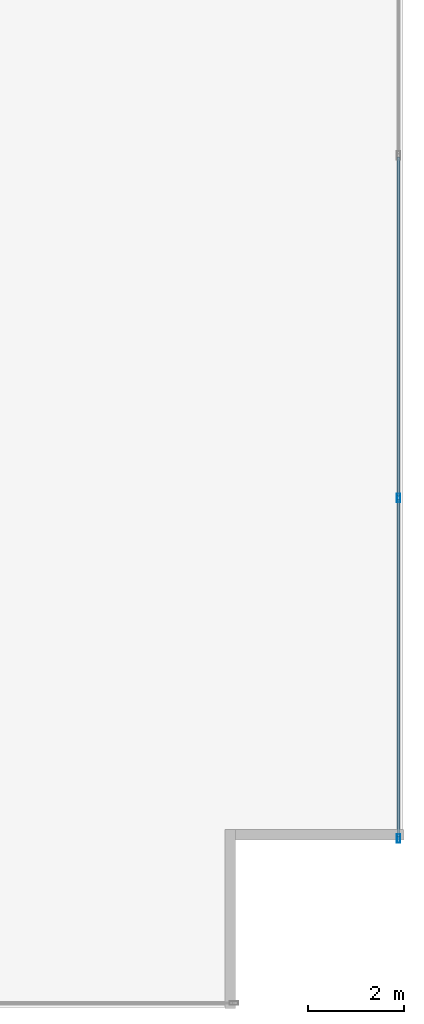
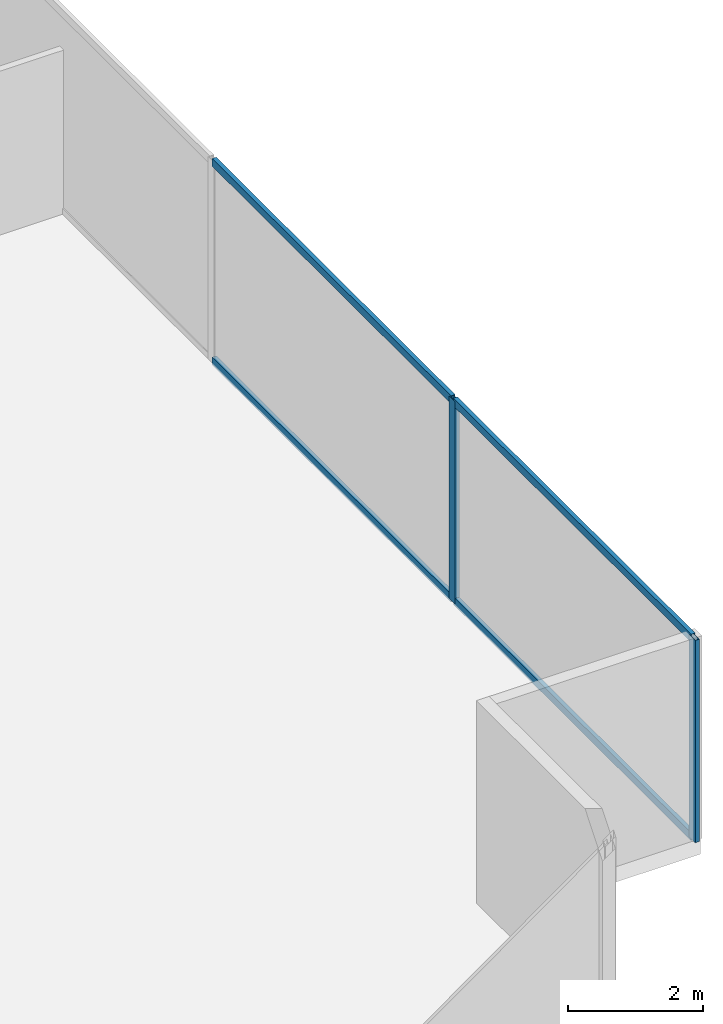
# One storey, part 12 of 28: 6 members, 1 element without a shape of its own.
"""IFC4 building model written with IfcOpenShell, lengths in metres."""

from ifc_helpers import new_model, si_unit, direction, frame, origin, origin_2d, place, context, subcontext, project, spatial, hollow_rectangle, extrude, source, transform, mapped, material, material_profile, profile_set, type_object, type_shapes, element, aggregate, save


model = new_model("IFC4")

# Units and contexts
model_context = context("Model", 3, precision=1e-05, world=origin(), true_north=direction((0.0, 1.0)))
body_context = subcontext(model_context, "Body", "Model", "MODEL_VIEW")
ifc_project = project(units=[si_unit("LENGTHUNIT", "METRE"), si_unit("AREAUNIT", "SQUARE_METRE"), si_unit("VOLUMEUNIT", "CUBIC_METRE"), si_unit("PLANEANGLEUNIT", "RADIAN"), si_unit("MASSUNIT", "GRAM", prefix="KILO")], contexts=[model_context])

# Site, building, storey
site_placement = place(None, origin())
site = spatial("IfcSite", under=ifc_project, at=site_placement, CompositionType="ELEMENT")
building_placement = place(site_placement, origin())
building = spatial("IfcBuilding", under=site, at=building_placement, Name="Krantzveldt Concourse Tower", CompositionType="ELEMENT")
storey_placement = place(building_placement, frame((0.0, 0.0, 28.949951171875)))
storey = spatial("IfcBuildingStorey", under=building, at=storey_placement, Name="L06", CompositionType="ELEMENT", Elevation=28.949951171875)

# Curtain wall, members
ifc_material = material(Name="Anodised aluminium 6063-T6", Category="aluminium")
curtain_wall_type = type_object("IfcCurtainWallType", Name="CW2", PredefinedType="USERDEFINED", material=ifc_material)
curtain_wall_placement = place(storey_placement, origin())
curtain_wall = element("IfcCurtainWall", 1, at=curtain_wall_placement, inside=storey, type_object=curtain_wall_type, Name="CW-L06-F07", ObjectType="UNITISED CURTAIN WALL", PredefinedType="USERDEFINED")
ifc_material_profile_1 = material_profile(ifc_material, hollow_rectangle(XDim=0.070068359375, YDim=0.139892578125, WallThickness=0.0048828125, at=origin_2d()), Name="Anodised aluminium 6063-T6", Category="aluminium")
ifc_profile_set_1 = profile_set([ifc_material_profile_1], Name="Anodised aluminium 6063-T6 - ALU-TRAN 140x70x5")
member_type_1 = type_object("IfcMemberType", Name="CW-TRN-150", PredefinedType="USERDEFINED", material=ifc_profile_set_1)
shared_shape_1 = source(origin(), body_context, "Body", "SweptSolid", [
    extrude(hollow_rectangle(XDim=0.070068359375, YDim=0.139892578125, WallThickness=0.0048828125, at=origin_2d()), origin(), (0.0, 0.0, 1.0), 7.0966796875),
])
member_1_placement = place(storey_placement, frame((60.909912109375, 12.401611328125, 0.03515625), z_axis=(0.0, 1.0, 0.0), x_axis=(-1.0, 0.0, 0.0)))
member_1 = element("IfcMember", 2, at=member_1_placement, type_object=member_type_1, Name="CW-Z12 transom 2.1", ObjectType="TRANSOM", PredefinedType="USERDEFINED", context=body_context, shape_type="MappedRepresentation", body=[
    mapped(shared_shape_1, transform((0.0, 0.0, 0.0), x_axis=(1.0, 0.0, 0.0), y_axis=(0.0, 1.0, 0.0), z_axis=(0.0, 0.0, 1.0), scale=1.0)),
])
member_2_placement = place(storey_placement, frame((60.909912109375, 12.401611328125, 3.635009765625), z_axis=(0.0, 1.0, 0.0), x_axis=(-1.0, 0.0, 0.0)))
member_2 = element("IfcMember", 3, at=member_2_placement, type_object=member_type_1, Name="CW-Z12 transom 2.2", ObjectType="TRANSOM", PredefinedType="USERDEFINED", context=body_context, shape_type="MappedRepresentation", body=[
    mapped(shared_shape_1, transform((0.0, 0.0, 0.0), x_axis=(1.0, 0.0, 0.0), y_axis=(0.0, 1.0, 0.0), z_axis=(0.0, 0.0, 1.0), scale=1.0)),
])
shared_shape_2 = source(origin(), body_context, "Body", "SweptSolid", [
    extrude(hollow_rectangle(XDim=0.070068359375, YDim=0.139892578125, WallThickness=0.0048828125, at=origin_2d()), origin(), (0.0, 0.0, 1.0), 7.061767578125),
])
type_shapes(member_type_1, [shared_shape_1, shared_shape_2])
member_3_placement = place(storey_placement, frame((60.909912109375, 5.27001953125, 0.03515625), z_axis=(0.0, 1.0, 0.0), x_axis=(-1.0, 0.0, 0.0)))
member_3 = element("IfcMember", 4, at=member_3_placement, type_object=member_type_1, Name="CW-Z12 transom 1.1", ObjectType="TRANSOM", PredefinedType="USERDEFINED", context=body_context, shape_type="MappedRepresentation", body=[
    mapped(shared_shape_2, transform((0.0, 0.0, 0.0), x_axis=(1.0, 0.0, 0.0), y_axis=(0.0, 1.0, 0.0), z_axis=(0.0, 0.0, 1.0), scale=1.0)),
])
member_4_placement = place(storey_placement, frame((60.909912109375, 5.27001953125, 3.635009765625), z_axis=(0.0, 1.0, 0.0), x_axis=(-1.0, 0.0, 0.0)))
member_4 = element("IfcMember", 5, at=member_4_placement, type_object=member_type_1, Name="CW-Z12 transom 1.2", ObjectType="TRANSOM", PredefinedType="USERDEFINED", context=body_context, shape_type="MappedRepresentation", body=[
    mapped(shared_shape_2, transform((0.0, 0.0, 0.0), x_axis=(1.0, 0.0, 0.0), y_axis=(0.0, 1.0, 0.0), z_axis=(0.0, 0.0, 1.0), scale=1.0)),
])
ifc_material_profile_2 = material_profile(ifc_material, hollow_rectangle(XDim=0.070068359375, YDim=0.179931640625, WallThickness=0.0048828125, at=origin_2d()), Name="Anodised aluminium 6063-T6", Category="aluminium")
ifc_profile_set_2 = profile_set([ifc_material_profile_2], Name="Anodised aluminium 6063-T6 - ALU-MULL 180x70x5")
member_type_2 = type_object("IfcMemberType", Name="CW-MUL-180", PredefinedType="MULLION", material=ifc_profile_set_2)
shared_shape_3 = source(origin(), body_context, "Body", "SweptSolid", [
    extrude(hollow_rectangle(XDim=0.070068359375, YDim=0.179931640625, WallThickness=0.0048828125, at=origin_2d()), origin(), (0.0, 0.0, 1.0), 3.670166015625),
])
type_shapes(member_type_2, [shared_shape_3])
member_5_placement = place(storey_placement, frame((60.909912109375, 5.235107421875, 0.0), z_axis=(0.0, 0.0, 1.0), x_axis=(-1.0, 0.0, 0.0)))
member_5 = element("IfcMember", 6, at=member_5_placement, type_object=member_type_2, Name="CW-Z12 mullion 1", PredefinedType="MULLION", context=body_context, shape_type="MappedRepresentation", body=[
    mapped(shared_shape_3, transform((0.0, 0.0, 0.0), x_axis=(1.0, 0.0, 0.0), y_axis=(0.0, 1.0, 0.0), z_axis=(0.0, 0.0, 1.0), scale=1.0)),
])
member_6_placement = place(storey_placement, frame((60.909912109375, 12.36669921875, 0.0), z_axis=(0.0, 0.0, 1.0), x_axis=(-1.0, 0.0, 0.0)))
member_6 = element("IfcMember", 7, at=member_6_placement, type_object=member_type_2, Name="CW-Z12 mullion 2", PredefinedType="MULLION", context=body_context, shape_type="MappedRepresentation", body=[
    mapped(shared_shape_3, transform((0.0, 0.0, 0.0), x_axis=(1.0, 0.0, 0.0), y_axis=(0.0, 1.0, 0.0), z_axis=(0.0, 0.0, 1.0), scale=1.0)),
])
aggregate(curtain_wall, [member_5, member_6, member_3, member_4, member_1, member_2])

save(model, "model.ifc")
